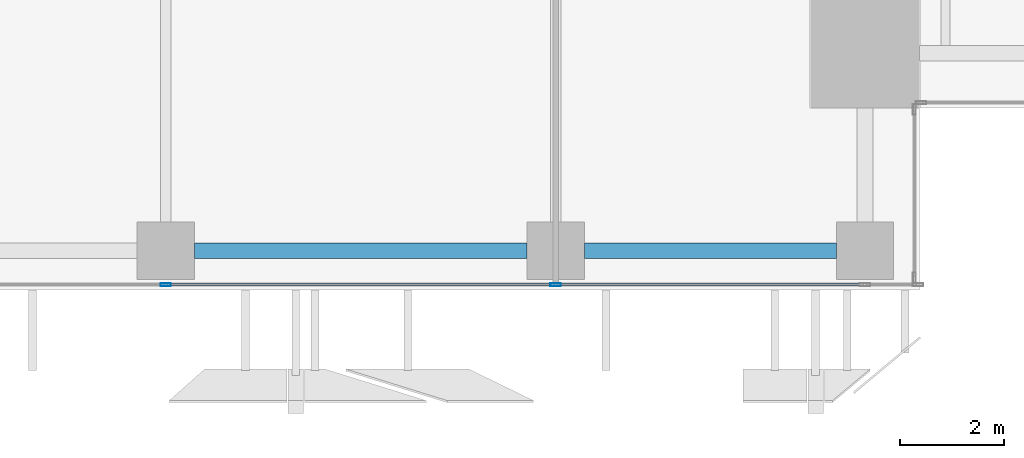
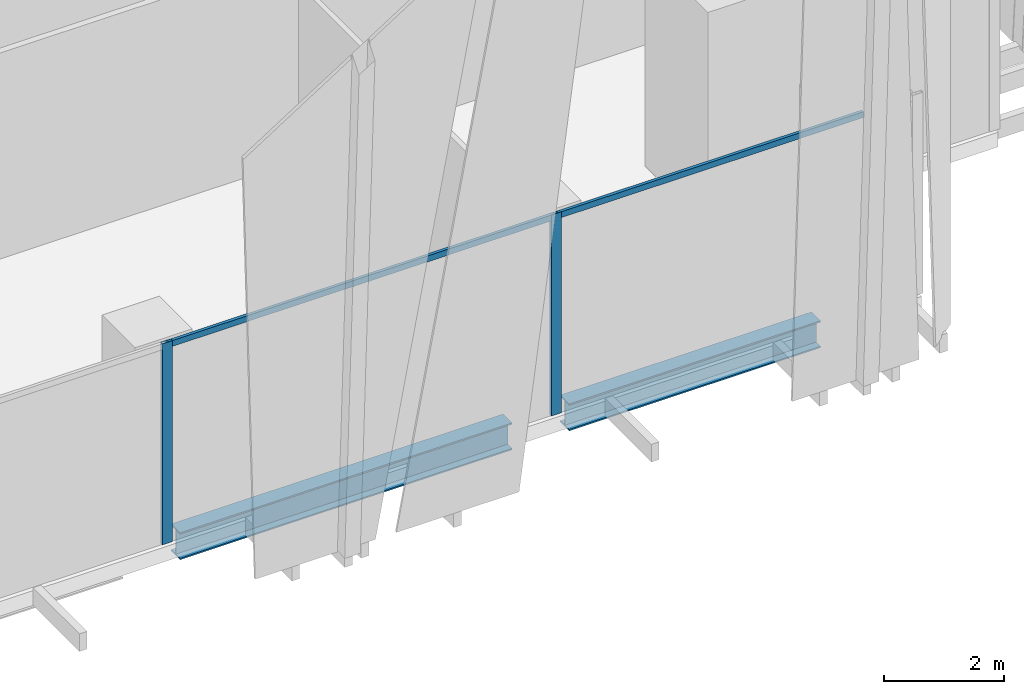
# One storey, part 7 of 34: 4 members, 2 beams, 1 element without a shape of its own.
"""IFC4 building model written with IfcOpenShell, lengths in metres."""

from ifc_helpers import new_model, si_unit, direction, frame, origin, origin_2d, place, context, subcontext, project, spatial, hollow_rectangle, i_section, extrude, source, transform, mapped, material, material_profile, profile_set, type_object, element, aggregate, save


model = new_model("IFC4")

# Units and contexts
model_context = context("Model", 3, precision=1e-05, world=origin(), true_north=direction((0.0, 1.0)))
body_context = subcontext(model_context, "Body", "Model", "MODEL_VIEW")
ifc_project = project(units=[si_unit("LENGTHUNIT", "METRE"), si_unit("AREAUNIT", "SQUARE_METRE"), si_unit("VOLUMEUNIT", "CUBIC_METRE"), si_unit("PLANEANGLEUNIT", "RADIAN"), si_unit("MASSUNIT", "GRAM", prefix="KILO")], contexts=[model_context])

# Site, building, storey
site_placement = place(None, origin())
site = spatial("IfcSite", under=ifc_project, at=site_placement, CompositionType="ELEMENT")
building_placement = place(site_placement, origin())
building = spatial("IfcBuilding", under=site, at=building_placement, Name="Khomas Fold Tower", CompositionType="ELEMENT")
storey_placement = place(building_placement, frame((0.0, 0.0, 114.699951171875)))
storey = spatial("IfcBuildingStorey", under=building, at=storey_placement, Name="L24", CompositionType="ELEMENT", Elevation=114.699951171875)

# Beams
ifc_material_1 = material(Name="Steel S355", Category="steel")
ifc_material_profile_1 = material_profile(ifc_material_1, i_section(OverallWidth=0.300048828125, OverallDepth=0.550048828125, WebThickness=0.014892578125, FlangeThickness=0.029052734375, at=origin_2d()), Name="HE 550 B")
ifc_profile_set_1 = profile_set([ifc_material_profile_1], Name="Steel S355")
beam_type = type_object("IfcBeamType", Name="HE 550 B spandrel SB2", PredefinedType="SPANDREL", material=ifc_profile_set_1)
shared_shape_1 = source(origin(), body_context, "Body", "SweptSolid", [
    extrude(i_section(OverallWidth=0.300048828125, OverallDepth=0.550048828125, WebThickness=0.014892578125, FlangeThickness=0.029052734375, at=origin_2d()), origin(), (0.0, 0.0, 1.0), 4.849853515625),
])
beam_1_placement = place(storey_placement, frame((42.550048828125, 2.25, -0.574951171875), z_axis=(1.0, 0.0, 0.0), x_axis=(0.0, 1.0, 0.0)))
element("IfcBeam", 1, at=beam_1_placement, inside=storey, type_object=beam_type, Name="SB2", PredefinedType="SPANDREL", context=body_context, shape_type="MappedRepresentation", body=[
    mapped(shared_shape_1, transform((0.0, 0.0, 0.0))),
])
shared_shape_2 = source(origin(), body_context, "Body", "SweptSolid", [
    extrude(i_section(OverallWidth=0.300048828125, OverallDepth=0.550048828125, WebThickness=0.014892578125, FlangeThickness=0.029052734375, at=origin_2d()), origin(), (0.0, 0.0, 1.0), 6.39990234375),
])
beam_2_placement = place(storey_placement, frame((35.050048828125, 2.25, -0.574951171875), z_axis=(1.0, 0.0, 0.0), x_axis=(0.0, 1.0, 0.0)))
element("IfcBeam", 2, at=beam_2_placement, inside=storey, type_object=beam_type, Name="SB2", PredefinedType="SPANDREL", context=body_context, shape_type="MappedRepresentation", body=[
    mapped(shared_shape_2, transform((0.0, 0.0, 0.0))),
])

# Curtain wall, members
ifc_material_2 = material(Name="Aluminium framed double glazing", Category="aluminium")
curtain_wall_type = type_object("IfcCurtainWallType", Name="SK-Unitised clear-glass wall, growing floors CW1", PredefinedType="NOTDEFINED", material=ifc_material_2)
curtain_wall_placement = place(storey_placement, origin())
curtain_wall = element("IfcCurtainWall", 3, at=curtain_wall_placement, inside=storey, type_object=curtain_wall_type, Name="CW1 run L24 00-0", PredefinedType="NOTDEFINED")
ifc_material_3 = material(Name="Aluminium", Category="aluminium")
ifc_material_profile_2 = material_profile(ifc_material_3, hollow_rectangle(XDim=0.06005859375, YDim=0.1201171875, WallThickness=0.00390625, at=origin_2d()), Name="SK-Unitised clear-glass wall, growing floors transom CW1-T")
ifc_profile_set_2 = profile_set([ifc_material_profile_2], Name="Aluminium")
member_type_1 = type_object("IfcMemberType", Name="SK-Unitised clear-glass wall, growing floors transom CW1-T", PredefinedType="USERDEFINED", material=ifc_profile_set_2)
shared_shape_3 = source(origin(), body_context, "Body", "SweptSolid", [
    extrude(hollow_rectangle(XDim=0.06005859375, YDim=0.1201171875, WallThickness=0.00390625, at=origin_2d()), origin(), (0.0, 0.0, 1.0), 7.43994140625),
])
member_1_placement = place(storey_placement, frame((34.530029296875, 1.60009765625, 4.0400390625), z_axis=(1.0, 0.0, 0.0), x_axis=(0.0, 1.0, 0.0)))
member_1 = element("IfcMember", 4, at=member_1_placement, type_object=member_type_1, Name="CW1 transom 6", ObjectType="TRANSOM", PredefinedType="USERDEFINED", context=body_context, shape_type="MappedRepresentation", body=[
    mapped(shared_shape_3, transform((0.0, 0.0, 0.0))),
])
ifc_material_4 = material(Name="Aluminium", Category="aluminium")
ifc_material_profile_3 = material_profile(ifc_material_4, hollow_rectangle(XDim=0.06005859375, YDim=0.199951171875, WallThickness=0.00390625, at=origin_2d()), Name="SK-Unitised clear-glass wall, growing floors mullion CW1-M")
ifc_profile_set_3 = profile_set([ifc_material_profile_3], Name="Aluminium")
member_type_2 = type_object("IfcMemberType", Name="SK-Unitised clear-glass wall, growing floors mullion CW1-M", PredefinedType="MULLION", material=ifc_profile_set_3)
shared_shape_4 = source(origin(), body_context, "Body", "SweptSolid", [
    extrude(hollow_rectangle(XDim=0.06005859375, YDim=0.199951171875, WallThickness=0.00390625, at=origin_2d()), origin(), (0.0, 0.0, 1.0), 4.10009765625),
])
member_2_placement = place(storey_placement, frame((34.5, 1.60009765625, 0.0), z_axis=(0.0, 0.0, 1.0), x_axis=(0.0, 1.0, 0.0)))
member_2 = element("IfcMember", 5, at=member_2_placement, type_object=member_type_2, Name="CW1 mullion 6", PredefinedType="MULLION", context=body_context, shape_type="MappedRepresentation", body=[
    mapped(shared_shape_4, transform((0.0, 0.0, 0.0))),
])
member_3_placement = place(storey_placement, frame((42.0, 1.60009765625, 0.0), z_axis=(0.0, 0.0, 1.0), x_axis=(0.0, 1.0, 0.0)))
member_3 = element("IfcMember", 6, at=member_3_placement, type_object=member_type_2, Name="CW1 mullion 7", PredefinedType="MULLION", context=body_context, shape_type="MappedRepresentation", body=[
    mapped(shared_shape_4, transform((0.0, 0.0, 0.0))),
])
shared_shape_5 = source(origin(), body_context, "Body", "SweptSolid", [
    extrude(hollow_rectangle(XDim=0.06005859375, YDim=0.1201171875, WallThickness=0.00390625, at=origin_2d()), origin(), (0.0, 0.0, 1.0), 5.889892578125),
])
member_4_placement = place(storey_placement, frame((42.030029296875, 1.60009765625, 4.0400390625), z_axis=(1.0, 0.0, 0.0), x_axis=(0.0, 1.0, 0.0)))
member_4 = element("IfcMember", 7, at=member_4_placement, type_object=member_type_1, Name="CW1 transom 7", ObjectType="TRANSOM", PredefinedType="USERDEFINED", context=body_context, shape_type="MappedRepresentation", body=[
    mapped(shared_shape_5, transform((0.0, 0.0, 0.0))),
])
aggregate(curtain_wall, [member_2, member_3, member_1, member_4])

save(model, "model.ifc")
